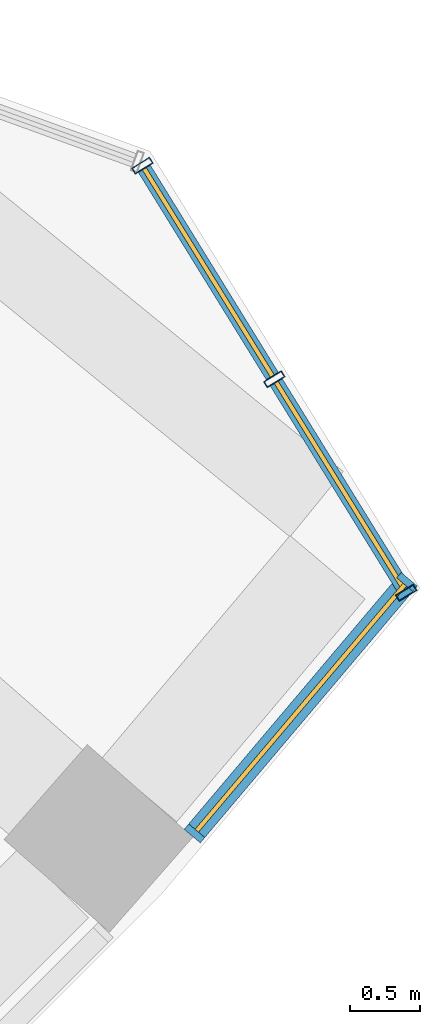
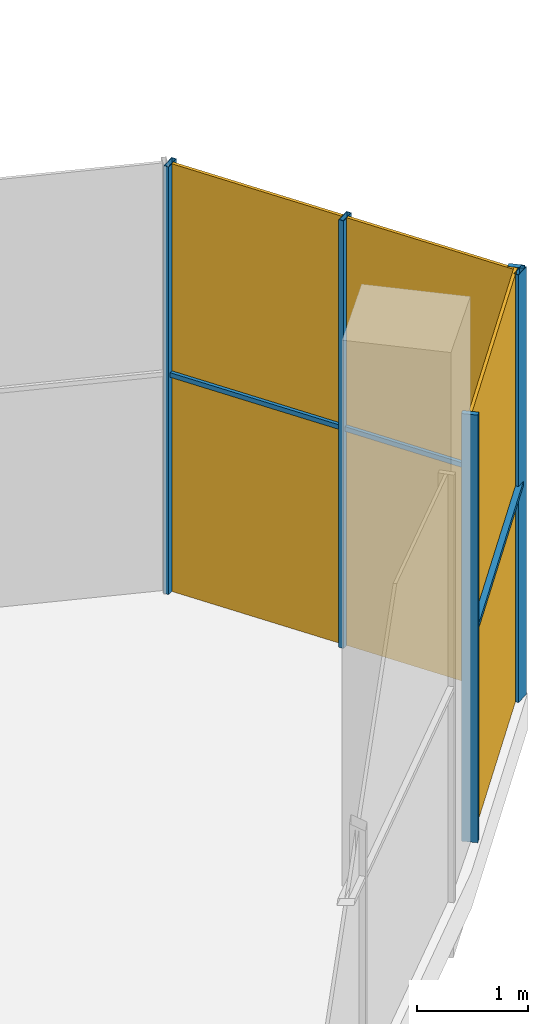
# One storey, part 36 of 41: 8 members, 2 curtain walls.
"""IFC4 building model written with IfcOpenShell, lengths in metres."""

from ifc_helpers import new_model, si_unit, direction, frame, origin, origin_2d, place, context, subcontext, project, spatial, rectangle, hollow_rectangle, extrude, material, material_profile, profile_set, type_object, element, aggregate, save


model = new_model("IFC4")

# Units and contexts
model_context = context("Model", 3, precision=1e-05, world=origin(), true_north=direction((0.0, 1.0)))
body_context = subcontext(model_context, "Body", "Model", "MODEL_VIEW")
ifc_project = project(units=[si_unit("LENGTHUNIT", "METRE"), si_unit("AREAUNIT", "SQUARE_METRE"), si_unit("VOLUMEUNIT", "CUBIC_METRE"), si_unit("PLANEANGLEUNIT", "RADIAN"), si_unit("MASSUNIT", "GRAM", prefix="KILO")], contexts=[model_context])

# Member
ifc_material_1 = material(Name="Aluminium 6063-T6 anodised", Category="aluminium")
ifc_material_profile_1 = material_profile(ifc_material_1, rectangle(XDim=0.14990234375, YDim=0.050048828125, at=origin_2d()))
ifc_profile_set_1 = profile_set([ifc_material_profile_1], Name="Aluminium 6063-T6 anodised")
member_type_1 = type_object("IfcMemberType", Name="Mullion 50 x 150 aluminium, frameless", PredefinedType="MULLION", material=ifc_profile_set_1)
site_placement = place(None, origin())
building_placement = place(site_placement, origin())
storey_placement = place(building_placement, frame((0.0, 0.0, 284.699951171875)))
member_1_placement = place(storey_placement, frame((59.14013671875, -51.228515625, 0.0), z_axis=(0.0, 0.0, 1.0), x_axis=(-0.763709922042, 0.645559567332, 0.0)))
member_1 = element("IfcMember", 1, at=member_1_placement, type_object=member_type_1, Name="e-cw3-L69-out14/M00", PredefinedType="MULLION", context=body_context, shape_type="SweptSolid", body=[
    extrude(rectangle(XDim=0.14990234375, YDim=0.050048828125, at=origin_2d()), origin(), (0.0, 0.0, 1.0), 4.699951171875),
])

member_2_placement = place(storey_placement, frame((60.654296875, -49.437255859375, 0.0), z_axis=(0.0, 0.0, 1.0), x_axis=(-0.763709922042, 0.645559567332, 0.0)))
member_2 = element("IfcMember", 2, at=member_2_placement, type_object=member_type_1, Name="e-cw3-L69-out14/M01", PredefinedType="MULLION", context=body_context, shape_type="SweptSolid", body=[
    extrude(rectangle(XDim=0.14990234375, YDim=0.050048828125, at=origin_2d()), origin(), (0.0, 0.0, 1.0), 4.699951171875),
])

ifc_material_2 = material(Name="Steel S355", Category="steel")
ifc_material_profile_2 = material_profile(ifc_material_2, hollow_rectangle(XDim=0.14990234375, YDim=0.050048828125, WallThickness=0.0048828125, at=origin_2d()))
ifc_profile_set_2 = profile_set([ifc_material_profile_2], Name="Steel S355")
member_type_2 = type_object("IfcMemberType", Name="Mullion RHS 150x50x5 steel S355", PredefinedType="MULLION", material=ifc_profile_set_2)
member_3_placement = place(storey_placement, frame((60.648681640625, -49.513916015625, 0.0), z_axis=(0.0, 0.0, 1.0), x_axis=(-0.850757207442, -0.525558915809, 0.0)))
member_3 = element("IfcMember", 3, at=member_3_placement, type_object=member_type_2, Name="e-cw5-L69-capE0/M00", PredefinedType="MULLION", context=body_context, shape_type="SweptSolid", body=[
    extrude(hollow_rectangle(XDim=0.14990234375, YDim=0.050048828125, WallThickness=0.0048828125, at=origin_2d()), origin(), (0.0, 0.0, 1.0), 4.699951171875),
])

member_4_placement = place(storey_placement, frame((59.708740234375, -47.992431640625, 0.0), z_axis=(0.0, 0.0, 1.0), x_axis=(-0.850757207442, -0.525558915809, 0.0)))
member_4 = element("IfcMember", 4, at=member_4_placement, type_object=member_type_2, Name="e-cw5-L69-capE0/M01", PredefinedType="MULLION", context=body_context, shape_type="SweptSolid", body=[
    extrude(hollow_rectangle(XDim=0.14990234375, YDim=0.050048828125, WallThickness=0.0048828125, at=origin_2d()), origin(), (0.0, 0.0, 1.0), 4.699951171875),
])

member_5_placement = place(storey_placement, frame((58.768798828125, -46.470703125, 0.0), z_axis=(0.0, 0.0, 1.0), x_axis=(-0.850757207442, -0.525558915809, 0.0)))
member_5 = element("IfcMember", 5, at=member_5_placement, type_object=member_type_2, Name="e-cw5-L69-capE0/M02", PredefinedType="MULLION", context=body_context, shape_type="SweptSolid", body=[
    extrude(hollow_rectangle(XDim=0.14990234375, YDim=0.050048828125, WallThickness=0.0048828125, at=origin_2d()), origin(), (0.0, 0.0, 1.0), 4.699951171875),
])

ifc_material_profile_3 = material_profile(ifc_material_1, rectangle(XDim=0.14990234375, YDim=0.050048828125, at=origin_2d()))
ifc_profile_set_3 = profile_set([ifc_material_profile_3], Name="Aluminium 6063-T6 anodised")
member_type_3 = type_object("IfcMemberType", Name="Transom 50 x 150 aluminium, frameless", PredefinedType="USERDEFINED", material=ifc_profile_set_3)
member_6_placement = place(storey_placement, frame((59.15625, -51.20947265625, 2.35009765625), z_axis=(0.645555991428, 0.763712944719, 0.0), x_axis=(-0.763712944719, 0.645555991428, 0.0)))
member_6 = element("IfcMember", 6, at=member_6_placement, type_object=member_type_3, Name="e-cw3-L69-out14/T00", ObjectType="TRANSOM", PredefinedType="USERDEFINED", context=body_context, shape_type="SweptSolid", body=[
    extrude(rectangle(XDim=0.14990234375, YDim=0.050048828125, at=origin_2d()), origin(), (0.0, 0.0, 1.0), 2.295654296875),
])

ifc_material_profile_4 = material_profile(ifc_material_2, hollow_rectangle(XDim=0.10009765625, YDim=0.050048828125, WallThickness=0.00390625, at=origin_2d()))
ifc_profile_set_4 = profile_set([ifc_material_profile_4], Name="Steel S355")
member_type_4 = type_object("IfcMemberType", Name="Transom RHS 100x50x4 steel S355", PredefinedType="USERDEFINED", material=ifc_profile_set_4)
member_7_placement = place(storey_placement, frame((60.635498046875, -49.49267578125, 2.400146484375), z_axis=(-0.525522779749, 0.850779529588, 0.0), x_axis=(-0.850779529588, -0.525522779749, 0.0)))
member_7 = element("IfcMember", 7, at=member_7_placement, type_object=member_type_4, Name="e-cw5-L69-capE0/T00", ObjectType="TRANSOM", PredefinedType="USERDEFINED", context=body_context, shape_type="SweptSolid", body=[
    extrude(hollow_rectangle(XDim=0.10009765625, YDim=0.050048828125, WallThickness=0.00390625, at=origin_2d()), origin(), (0.0, 0.0, 1.0), 1.738525390625),
])

member_8_placement = place(storey_placement, frame((59.695556640625, -47.97119140625, 2.400146484375), z_axis=(-0.525522779749, 0.850779529588, 0.0), x_axis=(-0.850779529588, -0.525522779749, 0.0)))
member_8 = element("IfcMember", 8, at=member_8_placement, type_object=member_type_4, Name="e-cw5-L69-capE0/T01", ObjectType="TRANSOM", PredefinedType="USERDEFINED", context=body_context, shape_type="SweptSolid", body=[
    extrude(hollow_rectangle(XDim=0.10009765625, YDim=0.050048828125, WallThickness=0.00390625, at=origin_2d()), origin(), (0.0, 0.0, 1.0), 1.738525390625),
])

# Site, building, storey
site = spatial("IfcSite", under=ifc_project, at=site_placement, CompositionType="ELEMENT")
building = spatial("IfcBuilding", under=site, at=building_placement, Name="Qamariyya Broadcast Tower", CompositionType="ELEMENT")
storey = spatial("IfcBuildingStorey", under=building, at=storey_placement, Name="L69", CompositionType="ELEMENT", Elevation=284.699951171875)

# Curtain wall
curtain_wall_type_1 = type_object("IfcCurtainWallType", Name="Observation deck frameless glazing wall", PredefinedType="NOTDEFINED", material=ifc_material_1)
curtain_wall_1_placement = place(storey_placement, origin())
curtain_wall_1 = element("IfcCurtainWall", 9, at=curtain_wall_1_placement, inside=storey, type_object=curtain_wall_type_1, Name="e-cw3-L69-out14", PredefinedType="NOTDEFINED", context=body_context, shape_type="SweptSolid", body=[
    extrude(rectangle(XDim=2.295654296875, YDim=0.031982421875, at=origin_2d()), frame((59.897216796875, -50.3330078125, 0.0), x_axis=(0.645521837104, 0.763741813587, 0.0)), (0.0, 0.0, 1.0), 2.324951171875),
    extrude(rectangle(XDim=2.295654296875, YDim=0.031982421875, at=origin_2d()), frame((59.897216796875, -50.3330078125, 2.375), x_axis=(0.645521837104, 0.763741813587, 0.0)), (0.0, 0.0, 1.0), 2.324951171875),
])

aggregate(curtain_wall_1, [member_1, member_2, member_6])

curtain_wall_type_2 = type_object("IfcCurtainWallType", Name="Observation gallery all-glass wall, steel mullions", PredefinedType="NOTDEFINED", material=ifc_material_2)
curtain_wall_2_placement = place(storey_placement, origin())
curtain_wall_2 = element("IfcCurtainWall", 10, at=curtain_wall_2_placement, inside=storey, type_object=curtain_wall_type_2, Name="e-cw5-L69-capE0", PredefinedType="NOTDEFINED", context=body_context, shape_type="SweptSolid", body=[
    extrude(rectangle(XDim=1.738525390625, YDim=0.031982421875, at=origin_2d()), frame((60.1787109375, -48.753173828125, 0.0), x_axis=(-0.525568830707, 0.850751082391, 0.0)), (0.0, 0.0, 1.0), 2.375),
    extrude(rectangle(XDim=1.738525390625, YDim=0.031982421875, at=origin_2d()), frame((60.1787109375, -48.753173828125, 2.425048828125), x_axis=(-0.525568830707, 0.850751082391, 0.0)), (0.0, 0.0, 1.0), 2.27490234375),
    extrude(rectangle(XDim=1.738525390625, YDim=0.031982421875, at=origin_2d()), frame((59.23876953125, -47.2314453125, 0.0), x_axis=(-0.525568830707, 0.850751082391, 0.0)), (0.0, 0.0, 1.0), 2.375),
    extrude(rectangle(XDim=1.738525390625, YDim=0.031982421875, at=origin_2d()), frame((59.23876953125, -47.2314453125, 2.425048828125), x_axis=(-0.525568830707, 0.850751082391, 0.0)), (0.0, 0.0, 1.0), 2.27490234375),
])

aggregate(curtain_wall_2, [member_3, member_4, member_5, member_7, member_8])

save(model, "model.ifc")
